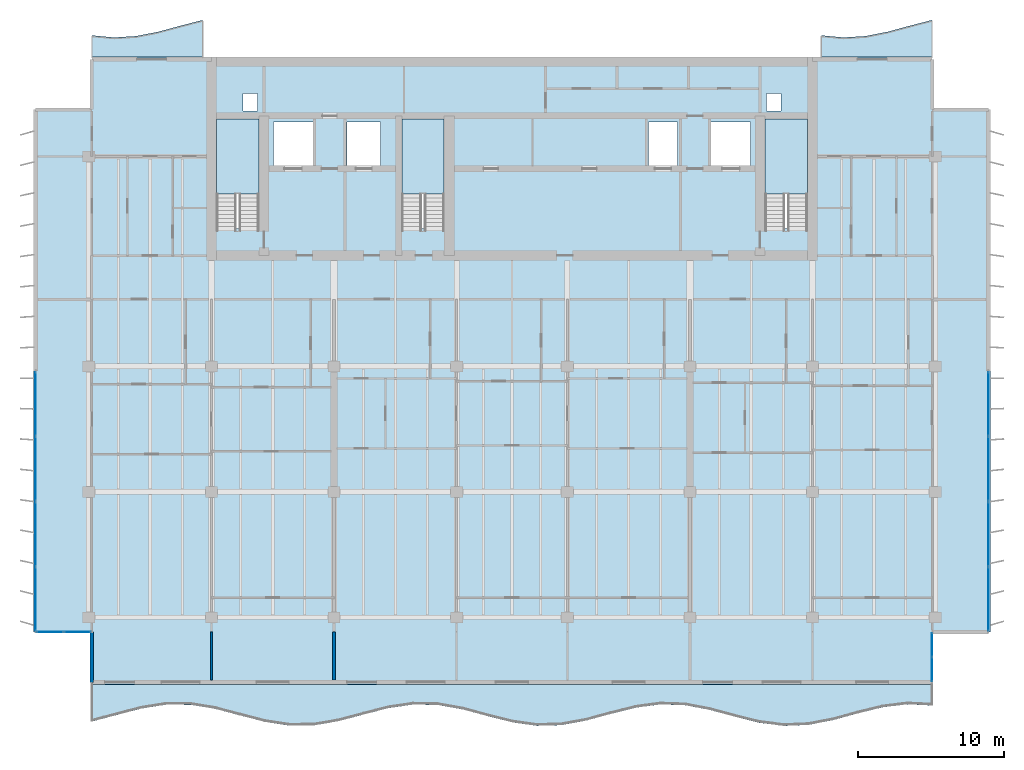
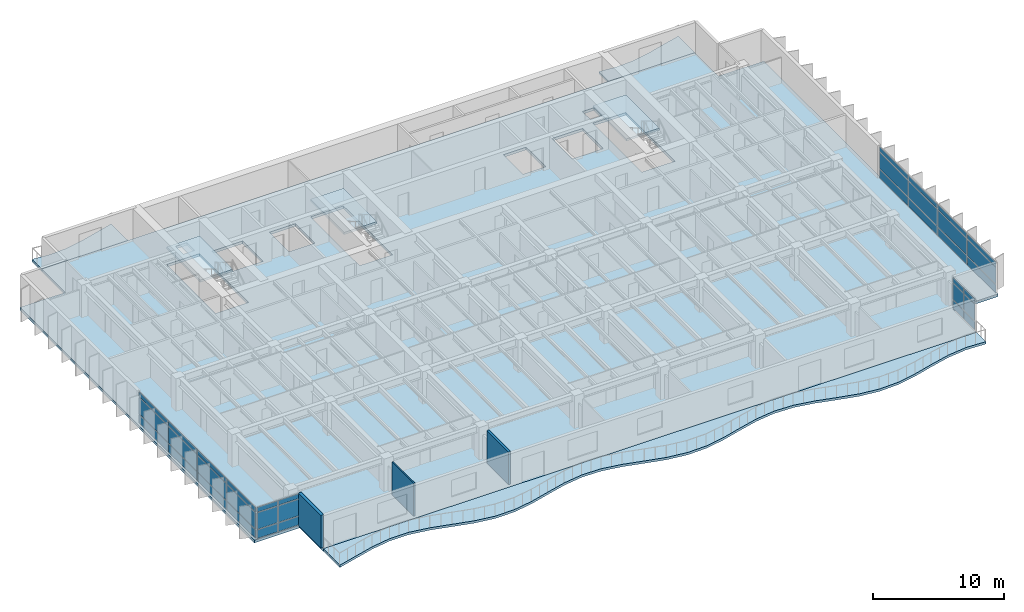
# One storey, part 7 of 17: 36 plates, 7 slabs, 3 walls, 7 elements without a shape of their own.
"""IFC4 building model written with IfcOpenShell, lengths in metres."""

from ifc_helpers import new_model, si_unit, direction, frame, frame_2d, origin, origin_2d, place, context, subcontext, project, spatial, polyline, rectangle, outline, extrude, material, layer, layer_set, type_object, element, aggregate, save


model = new_model("IFC4")

# Units and contexts
model_context = context("Model", 3, precision=1e-05, world=origin(), true_north=direction((0.0, 1.0)))
body_context = subcontext(model_context, "Body", "Model", "MODEL_VIEW")
ifc_project = project(units=[si_unit("LENGTHUNIT", "METRE"), si_unit("AREAUNIT", "SQUARE_METRE"), si_unit("VOLUMEUNIT", "CUBIC_METRE"), si_unit("PLANEANGLEUNIT", "RADIAN"), si_unit("MASSUNIT", "GRAM", prefix="KILO")], contexts=[model_context])

# Site, building, storey
site_placement = place(None, origin())
site = spatial("IfcSite", under=ifc_project, at=site_placement, CompositionType="ELEMENT")
building_placement = place(site_placement, origin())
building = spatial("IfcBuilding", under=site, at=building_placement, Name="Caelmar Bay Residences", CompositionType="ELEMENT")
storey_placement = place(building_placement, frame((0.0, 0.0, 204.89990234375)))
storey = spatial("IfcBuildingStorey", under=building, at=storey_placement, Name="L57", CompositionType="ELEMENT", Elevation=204.89990234375)

# Curtain wall, plates
ifc_material_1 = material(Name="Anodised bronze aluminium 6063-T6 and laminated glass", Category="aluminium")
ifc_layer_1 = layer(ifc_material_1, 0.179931640625)
ifc_layer_set_1 = layer_set([ifc_layer_1], Name="Anodised bronze aluminium 6063-T6 and laminated glass")
curtain_wall_type_1 = type_object("IfcCurtainWallType", Name="CW6-NTC", PredefinedType="NOTDEFINED", material=ifc_layer_set_1)
curtain_wall_1_placement = place(storey_placement, origin())
curtain_wall_1 = element("IfcCurtainWall", 1, at=curtain_wall_1_placement, inside=storey, type_object=curtain_wall_type_1, Name="CW6 curtain wall L57", PredefinedType="NOTDEFINED")
ifc_material_2 = material(Name="Bronze-tinted laminated low-E hurricane glass 28 mm", Category="glass")
ifc_layer_2 = layer(ifc_material_2, 0.028076171875)
ifc_layer_set_2 = layer_set([ifc_layer_2], Name="Bronze-tinted laminated low-E hurricane glass 28 mm")
plate_type = type_object("IfcPlateType", Name="CWP-GLZ28", PredefinedType="CURTAIN_PANEL", material=ifc_layer_set_2)
plate_1_placement = place(storey_placement, frame((7.232421875, 11.199951171875, 0.080078125), z_axis=(0.0, 0.0, 1.0), x_axis=(1.0, 0.0, 0.0)))
plate_1 = element("IfcPlate", 2, at=plate_1_placement, type_object=plate_type, Name="CW6 panel 1.1", PredefinedType="CURTAIN_PANEL", context=body_context, shape_type="SweptSolid", body=[
    extrude(rectangle(XDim=1.804931640625, YDim=0.028076171875, at=origin_2d()), origin(), (0.0, 0.0, 1.0), 0.780029296875),
])
plate_2_placement = place(storey_placement, frame((7.232421875, 11.199951171875, 0.940185546875), z_axis=(0.0, 0.0, 1.0), x_axis=(1.0, 0.0, 0.0)))
plate_2 = element("IfcPlate", 3, at=plate_2_placement, type_object=plate_type, Name="CW6 panel 1.2", PredefinedType="CURTAIN_PANEL", context=body_context, shape_type="SweptSolid", body=[
    extrude(rectangle(XDim=1.804931640625, YDim=0.028076171875, at=origin_2d()), origin(), (0.0, 0.0, 1.0), 1.52001953125),
])
plate_3_placement = place(storey_placement, frame((7.232421875, 11.199951171875, 2.5400390625), z_axis=(0.0, 0.0, 1.0), x_axis=(1.0, 0.0, 0.0)))
plate_3 = element("IfcPlate", 4, at=plate_3_placement, type_object=plate_type, Name="CW6 panel 1.3", PredefinedType="CURTAIN_PANEL", context=body_context, shape_type="SweptSolid", body=[
    extrude(rectangle(XDim=1.804931640625, YDim=0.028076171875, at=origin_2d()), origin(), (0.0, 0.0, 1.0), 0.429931640625),
])
plate_4_placement = place(storey_placement, frame((9.117431640625, 11.199951171875, 0.080078125), z_axis=(0.0, 0.0, 1.0), x_axis=(1.0, 0.0, 0.0)))
plate_4 = element("IfcPlate", 5, at=plate_4_placement, type_object=plate_type, Name="CW6 panel 2.1", PredefinedType="CURTAIN_PANEL", context=body_context, shape_type="SweptSolid", body=[
    extrude(rectangle(XDim=1.804931640625, YDim=0.028076171875, at=origin_2d()), origin(), (0.0, 0.0, 1.0), 0.780029296875),
])
plate_5_placement = place(storey_placement, frame((9.117431640625, 11.199951171875, 0.940185546875), z_axis=(0.0, 0.0, 1.0), x_axis=(1.0, 0.0, 0.0)))
plate_5 = element("IfcPlate", 6, at=plate_5_placement, type_object=plate_type, Name="CW6 panel 2.2", PredefinedType="CURTAIN_PANEL", context=body_context, shape_type="SweptSolid", body=[
    extrude(rectangle(XDim=1.804931640625, YDim=0.028076171875, at=origin_2d()), origin(), (0.0, 0.0, 1.0), 1.52001953125),
])
plate_6_placement = place(storey_placement, frame((9.117431640625, 11.199951171875, 2.5400390625), z_axis=(0.0, 0.0, 1.0), x_axis=(1.0, 0.0, 0.0)))
plate_6 = element("IfcPlate", 7, at=plate_6_placement, type_object=plate_type, Name="CW6 panel 2.3", PredefinedType="CURTAIN_PANEL", context=body_context, shape_type="SweptSolid", body=[
    extrude(rectangle(XDim=1.804931640625, YDim=0.028076171875, at=origin_2d()), origin(), (0.0, 0.0, 1.0), 0.429931640625),
])
aggregate(curtain_wall_1, [plate_1, plate_2, plate_3, plate_4, plate_5, plate_6])

curtain_wall_2_placement = place(storey_placement, origin())
curtain_wall_2 = element("IfcCurtainWall", 8, at=curtain_wall_2_placement, inside=storey, type_object=curtain_wall_type_1, Name="CW6 curtain wall L57", PredefinedType="NOTDEFINED")
plate_7_placement = place(storey_placement, frame((67.699951171875, 8.632568359375, 0.080078125), z_axis=(0.0, 0.0, 1.0), x_axis=(0.0, 1.0, 0.0)))
plate_7 = element("IfcPlate", 9, at=plate_7_placement, type_object=plate_type, Name="CW6 panel 1.1", PredefinedType="CURTAIN_PANEL", context=body_context, shape_type="SweptSolid", body=[
    extrude(rectangle(XDim=1.60498046875, YDim=0.028076171875, at=origin_2d()), origin(), (0.0, 0.0, 1.0), 0.780029296875),
])
plate_8_placement = place(storey_placement, frame((67.699951171875, 8.632568359375, 0.940185546875), z_axis=(0.0, 0.0, 1.0), x_axis=(0.0, 1.0, 0.0)))
plate_8 = element("IfcPlate", 10, at=plate_8_placement, type_object=plate_type, Name="CW6 panel 1.2", PredefinedType="CURTAIN_PANEL", context=body_context, shape_type="SweptSolid", body=[
    extrude(rectangle(XDim=1.60498046875, YDim=0.028076171875, at=origin_2d()), origin(), (0.0, 0.0, 1.0), 1.52001953125),
])
plate_9_placement = place(storey_placement, frame((67.699951171875, 8.632568359375, 2.5400390625), z_axis=(0.0, 0.0, 1.0), x_axis=(0.0, 1.0, 0.0)))
plate_9 = element("IfcPlate", 11, at=plate_9_placement, type_object=plate_type, Name="CW6 panel 1.3", PredefinedType="CURTAIN_PANEL", context=body_context, shape_type="SweptSolid", body=[
    extrude(rectangle(XDim=1.60498046875, YDim=0.028076171875, at=origin_2d()), origin(), (0.0, 0.0, 1.0), 0.429931640625),
])
plate_10_placement = place(storey_placement, frame((67.699951171875, 10.3173828125, 0.080078125), z_axis=(0.0, 0.0, 1.0), x_axis=(0.0, 1.0, 0.0)))
plate_10 = element("IfcPlate", 12, at=plate_10_placement, type_object=plate_type, Name="CW6 panel 2.1", PredefinedType="CURTAIN_PANEL", context=body_context, shape_type="SweptSolid", body=[
    extrude(rectangle(XDim=1.60498046875, YDim=0.028076171875, at=origin_2d()), origin(), (0.0, 0.0, 1.0), 0.780029296875),
])
plate_11_placement = place(storey_placement, frame((67.699951171875, 10.3173828125, 0.940185546875), z_axis=(0.0, 0.0, 1.0), x_axis=(0.0, 1.0, 0.0)))
plate_11 = element("IfcPlate", 13, at=plate_11_placement, type_object=plate_type, Name="CW6 panel 2.2", PredefinedType="CURTAIN_PANEL", context=body_context, shape_type="SweptSolid", body=[
    extrude(rectangle(XDim=1.60498046875, YDim=0.028076171875, at=origin_2d()), origin(), (0.0, 0.0, 1.0), 1.52001953125),
])
plate_12_placement = place(storey_placement, frame((67.699951171875, 10.3173828125, 2.5400390625), z_axis=(0.0, 0.0, 1.0), x_axis=(0.0, 1.0, 0.0)))
plate_12 = element("IfcPlate", 14, at=plate_12_placement, type_object=plate_type, Name="CW6 panel 2.3", PredefinedType="CURTAIN_PANEL", context=body_context, shape_type="SweptSolid", body=[
    extrude(rectangle(XDim=1.60498046875, YDim=0.028076171875, at=origin_2d()), origin(), (0.0, 0.0, 1.0), 0.429931640625),
])
aggregate(curtain_wall_2, [plate_7, plate_8, plate_9, plate_10, plate_11, plate_12])

ifc_layer_3 = layer(ifc_material_1, 0.179931640625)
ifc_layer_set_3 = layer_set([ifc_layer_3], Name="Anodised bronze aluminium 6063-T6 and laminated glass")
curtain_wall_type_2 = type_object("IfcCurtainWallType", Name="CW4-Z3", PredefinedType="NOTDEFINED", material=ifc_layer_set_3)
curtain_wall_3_placement = place(storey_placement, origin())
curtain_wall_3 = element("IfcCurtainWall", 15, at=curtain_wall_3_placement, inside=storey, type_object=curtain_wall_type_2, Name="CW4 curtain wall L57", PredefinedType="NOTDEFINED")
plate_13_placement = place(storey_placement, frame((6.25, 13.45751953125, 0.080078125), z_axis=(0.0, 0.0, 1.0), x_axis=(0.0, 1.0, 0.0)))
plate_13 = element("IfcPlate", 16, at=plate_13_placement, type_object=plate_type, Name="CW4 panel 1.1", PredefinedType="CURTAIN_PANEL", context=body_context, shape_type="SweptSolid", body=[
    extrude(rectangle(XDim=4.35498046875, YDim=0.028076171875, at=origin_2d()), origin(), (0.0, 0.0, 1.0), 0.780029296875),
])
plate_14_placement = place(storey_placement, frame((6.25, 13.45751953125, 0.940185546875), z_axis=(0.0, 0.0, 1.0), x_axis=(0.0, 1.0, 0.0)))
plate_14 = element("IfcPlate", 17, at=plate_14_placement, type_object=plate_type, Name="CW4 panel 1.2", PredefinedType="CURTAIN_PANEL", context=body_context, shape_type="SweptSolid", body=[
    extrude(rectangle(XDim=4.35498046875, YDim=0.028076171875, at=origin_2d()), origin(), (0.0, 0.0, 1.0), 1.52001953125),
])
plate_15_placement = place(storey_placement, frame((6.25, 13.45751953125, 2.5400390625), z_axis=(0.0, 0.0, 1.0), x_axis=(0.0, 1.0, 0.0)))
plate_15 = element("IfcPlate", 18, at=plate_15_placement, type_object=plate_type, Name="CW4 panel 1.3", PredefinedType="CURTAIN_PANEL", context=body_context, shape_type="SweptSolid", body=[
    extrude(rectangle(XDim=4.35498046875, YDim=0.028076171875, at=origin_2d()), origin(), (0.0, 0.0, 1.0), 0.429931640625),
])
plate_16_placement = place(storey_placement, frame((6.25, 17.91259765625, 0.080078125), z_axis=(0.0, 0.0, 1.0), x_axis=(0.0, 1.0, 0.0)))
plate_16 = element("IfcPlate", 19, at=plate_16_placement, type_object=plate_type, Name="CW4 panel 2.1", PredefinedType="CURTAIN_PANEL", context=body_context, shape_type="SweptSolid", body=[
    extrude(rectangle(XDim=4.39501953125, YDim=0.028076171875, at=origin_2d()), origin(), (0.0, 0.0, 1.0), 0.780029296875),
])
plate_17_placement = place(storey_placement, frame((6.25, 17.91259765625, 0.940185546875), z_axis=(0.0, 0.0, 1.0), x_axis=(0.0, 1.0, 0.0)))
plate_17 = element("IfcPlate", 20, at=plate_17_placement, type_object=plate_type, Name="CW4 panel 2.2", PredefinedType="CURTAIN_PANEL", context=body_context, shape_type="SweptSolid", body=[
    extrude(rectangle(XDim=4.39501953125, YDim=0.028076171875, at=origin_2d()), origin(), (0.0, 0.0, 1.0), 1.52001953125),
])
plate_18_placement = place(storey_placement, frame((6.25, 17.91259765625, 2.5400390625), z_axis=(0.0, 0.0, 1.0), x_axis=(0.0, 1.0, 0.0)))
plate_18 = element("IfcPlate", 21, at=plate_18_placement, type_object=plate_type, Name="CW4 panel 2.3", PredefinedType="CURTAIN_PANEL", context=body_context, shape_type="SweptSolid", body=[
    extrude(rectangle(XDim=4.39501953125, YDim=0.028076171875, at=origin_2d()), origin(), (0.0, 0.0, 1.0), 0.429931640625),
])
plate_19_placement = place(storey_placement, frame((6.25, 22.387451171875, 0.080078125), z_axis=(0.0, 0.0, 1.0), x_axis=(0.0, 1.0, 0.0)))
plate_19 = element("IfcPlate", 22, at=plate_19_placement, type_object=plate_type, Name="CW4 panel 3.1", PredefinedType="CURTAIN_PANEL", context=body_context, shape_type="SweptSolid", body=[
    extrude(rectangle(XDim=4.39501953125, YDim=0.028076171875, at=origin_2d()), origin(), (0.0, 0.0, 1.0), 0.780029296875),
])
plate_20_placement = place(storey_placement, frame((6.25, 22.387451171875, 0.940185546875), z_axis=(0.0, 0.0, 1.0), x_axis=(0.0, 1.0, 0.0)))
plate_20 = element("IfcPlate", 23, at=plate_20_placement, type_object=plate_type, Name="CW4 panel 3.2", PredefinedType="CURTAIN_PANEL", context=body_context, shape_type="SweptSolid", body=[
    extrude(rectangle(XDim=4.39501953125, YDim=0.028076171875, at=origin_2d()), origin(), (0.0, 0.0, 1.0), 1.52001953125),
])
plate_21_placement = place(storey_placement, frame((6.25, 22.387451171875, 2.5400390625), z_axis=(0.0, 0.0, 1.0), x_axis=(0.0, 1.0, 0.0)))
plate_21 = element("IfcPlate", 24, at=plate_21_placement, type_object=plate_type, Name="CW4 panel 3.3", PredefinedType="CURTAIN_PANEL", context=body_context, shape_type="SweptSolid", body=[
    extrude(rectangle(XDim=4.39501953125, YDim=0.028076171875, at=origin_2d()), origin(), (0.0, 0.0, 1.0), 0.429931640625),
])
plate_22_placement = place(storey_placement, frame((6.25, 26.842529296875, 0.080078125), z_axis=(0.0, 0.0, 1.0), x_axis=(0.0, 1.0, 0.0)))
plate_22 = element("IfcPlate", 25, at=plate_22_placement, type_object=plate_type, Name="CW4 panel 4.1", PredefinedType="CURTAIN_PANEL", context=body_context, shape_type="SweptSolid", body=[
    extrude(rectangle(XDim=4.35498046875, YDim=0.028076171875, at=origin_2d()), origin(), (0.0, 0.0, 1.0), 0.780029296875),
])
plate_23_placement = place(storey_placement, frame((6.25, 26.842529296875, 0.940185546875), z_axis=(0.0, 0.0, 1.0), x_axis=(0.0, 1.0, 0.0)))
plate_23 = element("IfcPlate", 26, at=plate_23_placement, type_object=plate_type, Name="CW4 panel 4.2", PredefinedType="CURTAIN_PANEL", context=body_context, shape_type="SweptSolid", body=[
    extrude(rectangle(XDim=4.35498046875, YDim=0.028076171875, at=origin_2d()), origin(), (0.0, 0.0, 1.0), 1.52001953125),
])
plate_24_placement = place(storey_placement, frame((6.25, 26.842529296875, 2.5400390625), z_axis=(0.0, 0.0, 1.0), x_axis=(0.0, 1.0, 0.0)))
plate_24 = element("IfcPlate", 27, at=plate_24_placement, type_object=plate_type, Name="CW4 panel 4.3", PredefinedType="CURTAIN_PANEL", context=body_context, shape_type="SweptSolid", body=[
    extrude(rectangle(XDim=4.35498046875, YDim=0.028076171875, at=origin_2d()), origin(), (0.0, 0.0, 1.0), 0.429931640625),
])
aggregate(curtain_wall_3, [plate_13, plate_14, plate_15, plate_16, plate_17, plate_18, plate_19, plate_20, plate_21, plate_22, plate_23, plate_24])

curtain_wall_4_placement = place(storey_placement, origin())
curtain_wall_4 = element("IfcCurtainWall", 28, at=curtain_wall_4_placement, inside=storey, type_object=curtain_wall_type_2, Name="CW4 curtain wall L57", PredefinedType="NOTDEFINED")
plate_25_placement = place(storey_placement, frame((71.550048828125, 26.842529296875, 0.080078125), z_axis=(0.0, 0.0, 1.0), x_axis=(0.0, -1.0, 0.0)))
plate_25 = element("IfcPlate", 29, at=plate_25_placement, type_object=plate_type, Name="CW4 panel 1.1", PredefinedType="CURTAIN_PANEL", context=body_context, shape_type="SweptSolid", body=[
    extrude(rectangle(XDim=4.35498046875, YDim=0.028076171875, at=origin_2d()), origin(), (0.0, 0.0, 1.0), 0.780029296875),
])
plate_26_placement = place(storey_placement, frame((71.550048828125, 26.842529296875, 0.940185546875), z_axis=(0.0, 0.0, 1.0), x_axis=(0.0, -1.0, 0.0)))
plate_26 = element("IfcPlate", 30, at=plate_26_placement, type_object=plate_type, Name="CW4 panel 1.2", PredefinedType="CURTAIN_PANEL", context=body_context, shape_type="SweptSolid", body=[
    extrude(rectangle(XDim=4.35498046875, YDim=0.028076171875, at=origin_2d()), origin(), (0.0, 0.0, 1.0), 1.52001953125),
])
plate_27_placement = place(storey_placement, frame((71.550048828125, 26.842529296875, 2.5400390625), z_axis=(0.0, 0.0, 1.0), x_axis=(0.0, -1.0, 0.0)))
plate_27 = element("IfcPlate", 31, at=plate_27_placement, type_object=plate_type, Name="CW4 panel 1.3", PredefinedType="CURTAIN_PANEL", context=body_context, shape_type="SweptSolid", body=[
    extrude(rectangle(XDim=4.35498046875, YDim=0.028076171875, at=origin_2d()), origin(), (0.0, 0.0, 1.0), 0.429931640625),
])
plate_28_placement = place(storey_placement, frame((71.550048828125, 22.387451171875, 0.080078125), z_axis=(0.0, 0.0, 1.0), x_axis=(0.0, -1.0, 0.0)))
plate_28 = element("IfcPlate", 32, at=plate_28_placement, type_object=plate_type, Name="CW4 panel 2.1", PredefinedType="CURTAIN_PANEL", context=body_context, shape_type="SweptSolid", body=[
    extrude(rectangle(XDim=4.39501953125, YDim=0.028076171875, at=origin_2d()), origin(), (0.0, 0.0, 1.0), 0.780029296875),
])
plate_29_placement = place(storey_placement, frame((71.550048828125, 22.387451171875, 0.940185546875), z_axis=(0.0, 0.0, 1.0), x_axis=(0.0, -1.0, 0.0)))
plate_29 = element("IfcPlate", 33, at=plate_29_placement, type_object=plate_type, Name="CW4 panel 2.2", PredefinedType="CURTAIN_PANEL", context=body_context, shape_type="SweptSolid", body=[
    extrude(rectangle(XDim=4.39501953125, YDim=0.028076171875, at=origin_2d()), origin(), (0.0, 0.0, 1.0), 1.52001953125),
])
plate_30_placement = place(storey_placement, frame((71.550048828125, 22.387451171875, 2.5400390625), z_axis=(0.0, 0.0, 1.0), x_axis=(0.0, -1.0, 0.0)))
plate_30 = element("IfcPlate", 34, at=plate_30_placement, type_object=plate_type, Name="CW4 panel 2.3", PredefinedType="CURTAIN_PANEL", context=body_context, shape_type="SweptSolid", body=[
    extrude(rectangle(XDim=4.39501953125, YDim=0.028076171875, at=origin_2d()), origin(), (0.0, 0.0, 1.0), 0.429931640625),
])
plate_31_placement = place(storey_placement, frame((71.550048828125, 17.91259765625, 0.080078125), z_axis=(0.0, 0.0, 1.0), x_axis=(0.0, -1.0, 0.0)))
plate_31 = element("IfcPlate", 35, at=plate_31_placement, type_object=plate_type, Name="CW4 panel 3.1", PredefinedType="CURTAIN_PANEL", context=body_context, shape_type="SweptSolid", body=[
    extrude(rectangle(XDim=4.39501953125, YDim=0.028076171875, at=origin_2d()), origin(), (0.0, 0.0, 1.0), 0.780029296875),
])
plate_32_placement = place(storey_placement, frame((71.550048828125, 17.91259765625, 0.940185546875), z_axis=(0.0, 0.0, 1.0), x_axis=(0.0, -1.0, 0.0)))
plate_32 = element("IfcPlate", 36, at=plate_32_placement, type_object=plate_type, Name="CW4 panel 3.2", PredefinedType="CURTAIN_PANEL", context=body_context, shape_type="SweptSolid", body=[
    extrude(rectangle(XDim=4.39501953125, YDim=0.028076171875, at=origin_2d()), origin(), (0.0, 0.0, 1.0), 1.52001953125),
])
plate_33_placement = place(storey_placement, frame((71.550048828125, 17.91259765625, 2.5400390625), z_axis=(0.0, 0.0, 1.0), x_axis=(0.0, -1.0, 0.0)))
plate_33 = element("IfcPlate", 37, at=plate_33_placement, type_object=plate_type, Name="CW4 panel 3.3", PredefinedType="CURTAIN_PANEL", context=body_context, shape_type="SweptSolid", body=[
    extrude(rectangle(XDim=4.39501953125, YDim=0.028076171875, at=origin_2d()), origin(), (0.0, 0.0, 1.0), 0.429931640625),
])
plate_34_placement = place(storey_placement, frame((71.550048828125, 13.45751953125, 0.080078125), z_axis=(0.0, 0.0, 1.0), x_axis=(0.0, -1.0, 0.0)))
plate_34 = element("IfcPlate", 38, at=plate_34_placement, type_object=plate_type, Name="CW4 panel 4.1", PredefinedType="CURTAIN_PANEL", context=body_context, shape_type="SweptSolid", body=[
    extrude(rectangle(XDim=4.35498046875, YDim=0.028076171875, at=origin_2d()), origin(), (0.0, 0.0, 1.0), 0.780029296875),
])
plate_35_placement = place(storey_placement, frame((71.550048828125, 13.45751953125, 0.940185546875), z_axis=(0.0, 0.0, 1.0), x_axis=(0.0, -1.0, 0.0)))
plate_35 = element("IfcPlate", 39, at=plate_35_placement, type_object=plate_type, Name="CW4 panel 4.2", PredefinedType="CURTAIN_PANEL", context=body_context, shape_type="SweptSolid", body=[
    extrude(rectangle(XDim=4.35498046875, YDim=0.028076171875, at=origin_2d()), origin(), (0.0, 0.0, 1.0), 1.52001953125),
])
plate_36_placement = place(storey_placement, frame((71.550048828125, 13.45751953125, 2.5400390625), z_axis=(0.0, 0.0, 1.0), x_axis=(0.0, -1.0, 0.0)))
plate_36 = element("IfcPlate", 40, at=plate_36_placement, type_object=plate_type, Name="CW4 panel 4.3", PredefinedType="CURTAIN_PANEL", context=body_context, shape_type="SweptSolid", body=[
    extrude(rectangle(XDim=4.35498046875, YDim=0.028076171875, at=origin_2d()), origin(), (0.0, 0.0, 1.0), 0.429931640625),
])
aggregate(curtain_wall_4, [plate_25, plate_26, plate_27, plate_28, plate_29, plate_30, plate_31, plate_32, plate_33, plate_34, plate_35, plate_36])

# Slabs
ifc_material_3 = material(Name="Concrete f'c 40 MPa (6,000 psi)", Category="concrete")
ifc_layer_4 = layer(ifc_material_3, 0.219970703125)
ifc_layer_set_4 = layer_set([ifc_layer_4], Name="Concrete f'c 40 MPa (6,000 psi)")
slab_type_1 = type_object("IfcSlabType", Name="SLB-BAL-220", PredefinedType="FLOOR", material=ifc_layer_set_4)
slab_1_placement = place(storey_placement, frame((0.0, 0.0, -0.219970703125)))
element("IfcSlab", 41, at=slab_1_placement, inside=storey, type_object=slab_type_1, Name="L57 Sinusoidal Tree-Balcony Slab south", PredefinedType="FLOOR", context=body_context, shape_type="SweptSolid", body=[
    extrude(outline(polyline([(10.10009765625, 5.05908203125), (11.794189453125, 5.50390625), (13.48828125, 5.947265625), (15.182373046875, 6.216796875), (16.87646484375, 6.208251953125), (18.570556640625, 5.9248046875), (20.2646484375, 5.476318359375), (21.958740234375, 5.037109375), (23.65283203125, 4.777587890625), (25.34716796875, 4.798583984375), (27.041259765625, 5.091796875), (28.7353515625, 5.54345703125), (30.429443359375, 5.978515625), (32.12353515625, 6.2275390625), (33.817626953125, 6.194091796875), (35.51171875, 5.891357421875), (37.205810546875, 5.436767578125), (38.89990234375, 5.006591796875), (40.593994140625, 4.767822265625), (42.2880859375, 4.8134765625), (43.982421875, 5.12548828125), (45.676513671875, 5.5830078125), (47.37060546875, 6.00830078125), (49.064697265625, 6.236083984375), (50.7587890625, 6.17822265625), (52.452880859375, 5.857177734375), (54.147216796875, 5.3974609375), (55.84130859375, 4.977294921875), (57.535400390625, 4.76025390625), (59.2294921875, 4.830322265625), (60.923583984375, 5.160400390625), (62.61767578125, 5.622314453125), (64.311767578125, 6.03662109375), (66.005859375, 6.24267578125), (67.699951171875, 6.160400390625), (67.699951171875, 7.60009765625), (10.10009765625, 7.60009765625), (10.10009765625, 5.05908203125)])), origin(), (0.0, 0.0, 1.0), 0.219970703125),
])
slab_2_placement = place(storey_placement, frame((0.0, 0.0, -0.219970703125)))
element("IfcSlab", 42, at=slab_2_placement, inside=storey, type_object=slab_type_1, Name="L57 Sinusoidal Tree-Balcony Slab north_west", PredefinedType="FLOOR", context=body_context, shape_type="SweptSolid", body=[
    extrude(outline(polyline([(10.10009765625, 50.60009765625), (17.699951171875, 50.60009765625), (17.699951171875, 53.14990234375), (16.179931640625, 52.756103515625), (14.659912109375, 52.344482421875), (13.139892578125, 52.044921875), (11.6201171875, 51.951416015625), (10.10009765625, 52.09326171875), (10.10009765625, 50.60009765625)])), origin(), (0.0, 0.0, 1.0), 0.219970703125),
])
slab_3_placement = place(storey_placement, frame((0.0, 0.0, -0.219970703125)))
element("IfcSlab", 43, at=slab_3_placement, inside=storey, type_object=slab_type_1, Name="L57 Sinusoidal Tree-Balcony Slab north_east", PredefinedType="FLOOR", context=body_context, shape_type="SweptSolid", body=[
    extrude(outline(polyline([(60.10009765625, 50.60009765625), (67.699951171875, 50.60009765625), (67.699951171875, 53.14990234375), (66.179931640625, 52.756103515625), (64.659912109375, 52.344482421875), (63.139892578125, 52.044921875), (61.6201171875, 51.951416015625), (60.10009765625, 52.09326171875), (60.10009765625, 50.60009765625)])), origin(), (0.0, 0.0, 1.0), 0.219970703125),
])

# Stair, slab
stair_type = type_object("IfcStairType", Name="ST-TYP-165", PredefinedType="HALF_TURN_STAIR", material=ifc_material_3)
stair_1_placement = place(storey_placement, origin())
stair_1 = element("IfcStair", 44, at=stair_1_placement, inside=storey, type_object=stair_type, Name="L57 West Smokeproof Exit Stair ST1", PredefinedType="HALF_TURN_STAIR")
ifc_layer_5 = layer(ifc_material_3, 0.199951171875)
ifc_layer_set_5 = layer_set([ifc_layer_5], Name="Concrete f'c 40 MPa (6,000 psi)")
slab_type_2 = type_object("IfcSlabType", Name="SLB-LND-200", PredefinedType="LANDING", material=ifc_layer_set_5)
slab_4_placement = place(storey_placement, frame((0.0, 0.0, 1.4501953125)))
slab_4 = element("IfcSlab", 45, at=slab_4_placement, type_object=slab_type_2, Name="ST1 landing 1", PredefinedType="LANDING", context=body_context, shape_type="SweptSolid", body=[
    extrude(outline(polyline([(21.550048828125, 41.219970703125), (21.550048828125, 46.35009765625), (18.64990234375, 46.35009765625), (18.64990234375, 41.219970703125), (21.550048828125, 41.219970703125)])), origin(), (0.0, 0.0, 1.0), 0.199951171875),
])
aggregate(stair_1, [slab_4])

stair_2_placement = place(storey_placement, origin())
stair_2 = element("IfcStair", 46, at=stair_2_placement, inside=storey, type_object=stair_type, Name="L57 East Smokeproof Exit Stair ST2", PredefinedType="HALF_TURN_STAIR")
slab_5_placement = place(storey_placement, frame((0.0, 0.0, 1.4501953125)))
slab_5 = element("IfcSlab", 47, at=slab_5_placement, type_object=slab_type_2, Name="ST2 landing 1", PredefinedType="LANDING", context=body_context, shape_type="SweptSolid", body=[
    extrude(outline(polyline([(59.14990234375, 41.219970703125), (59.14990234375, 46.35009765625), (56.25, 46.35009765625), (56.25, 41.219970703125), (59.14990234375, 41.219970703125)])), origin(), (0.0, 0.0, 1.0), 0.199951171875),
])
aggregate(stair_2, [slab_5])

stair_3_placement = place(storey_placement, origin())
stair_3 = element("IfcStair", 48, at=stair_3_placement, inside=storey, type_object=stair_type, Name="L57 Central Smokeproof Exit Stair ST3", PredefinedType="HALF_TURN_STAIR")
slab_6_placement = place(storey_placement, frame((0.0, 0.0, 1.4501953125)))
slab_6 = element("IfcSlab", 49, at=slab_6_placement, type_object=slab_type_2, Name="ST3 landing 1", PredefinedType="LANDING", context=body_context, shape_type="SweptSolid", body=[
    extrude(outline(polyline([(34.25, 41.219970703125), (34.25, 46.35009765625), (31.35009765625, 46.35009765625), (31.35009765625, 41.219970703125), (34.25, 41.219970703125)])), origin(), (0.0, 0.0, 1.0), 0.199951171875),
])
aggregate(stair_3, [slab_6])

# Slab
ifc_layer_6 = layer(ifc_material_3, 0.25)
ifc_layer_set_6 = layer_set([ifc_layer_6], Name="Concrete f'c 40 MPa (6,000 psi)")
slab_type_3 = type_object("IfcSlabType", Name="SLB-RES-250", PredefinedType="FLOOR", material=ifc_layer_set_6)
slab_7_placement = place(storey_placement, frame((0.0, 0.0, -0.25)))
element("IfcSlab", 50, at=slab_7_placement, inside=storey, type_object=slab_type_3, Name="L57 Structural Floor Slab", PredefinedType="FLOOR", context=body_context, shape_type="SweptSolid", body=[
    extrude(outline(polyline([(10.10009765625, 7.60009765625), (67.699951171875, 7.60009765625), (67.699951171875, 11.199951171875), (71.699951171875, 11.199951171875), (71.699951171875, 47.0), (67.699951171875, 47.0), (67.699951171875, 50.60009765625), (10.10009765625, 50.60009765625), (10.10009765625, 47.0), (6.10009765625, 47.0), (6.10009765625, 11.199951171875), (10.10009765625, 11.199951171875), (10.10009765625, 7.60009765625)]), holes=[polyline([(18.64990234375, 38.85009765625), (21.550048828125, 38.85009765625), (21.550048828125, 46.35009765625), (18.64990234375, 46.35009765625), (18.64990234375, 38.85009765625)]), polyline([(56.25, 38.85009765625), (59.14990234375, 38.85009765625), (59.14990234375, 46.35009765625), (56.25, 46.35009765625), (56.25, 38.85009765625)]), polyline([(31.35009765625, 38.85009765625), (34.25, 38.85009765625), (34.25, 46.35009765625), (31.35009765625, 46.35009765625), (31.35009765625, 38.85009765625)]), polyline([(22.550048828125, 43.050048828125), (25.25, 43.050048828125), (25.25, 46.14990234375), (22.550048828125, 46.14990234375), (22.550048828125, 43.050048828125)]), polyline([(52.550048828125, 43.050048828125), (55.25, 43.050048828125), (55.25, 46.14990234375), (52.550048828125, 46.14990234375), (52.550048828125, 43.050048828125)]), polyline([(48.25, 43.14990234375), (50.25, 43.14990234375), (50.25, 46.14990234375), (48.25, 46.14990234375), (48.25, 43.14990234375)]), polyline([(27.60009765625, 43.14990234375), (29.89990234375, 43.14990234375), (29.89990234375, 46.14990234375), (27.60009765625, 46.14990234375), (27.60009765625, 43.14990234375)]), polyline([(20.449951171875, 46.89990234375), (21.449951171875, 46.89990234375), (21.449951171875, 48.10009765625), (20.449951171875, 48.10009765625), (20.449951171875, 46.89990234375)]), polyline([(56.35009765625, 46.89990234375), (57.35009765625, 46.89990234375), (57.35009765625, 48.10009765625), (56.35009765625, 48.10009765625), (56.35009765625, 46.89990234375)])]), origin(), (0.0, 0.0, 1.0), 0.25),
])

# Walls
ifc_material_4 = material(Name="Precast concrete f'c 40 MPa (6,000 psi)", Category="concrete")
ifc_layer_7 = layer(ifc_material_4, 0.25)
ifc_layer_set_7 = layer_set([ifc_layer_7], Name="Precast concrete f'c 40 MPa (6,000 psi)")
wall_type_1 = type_object("IfcWallType", Name="W-EXT-250", PredefinedType="ELEMENTEDWALL", material=ifc_layer_set_7)
wall_1_placement = place(storey_placement, frame((10.10009765625, 11.199951171875, 0.0), z_axis=(0.0, 0.0, 1.0), x_axis=(0.0, -1.0, 0.0)))
element("IfcWall", 51, at=wall_1_placement, inside=storey, type_object=wall_type_1, Name="L57 SW Notch Return Wall", PredefinedType="ELEMENTEDWALL", context=body_context, shape_type="SweptSolid", body=[
    extrude(rectangle(XDim=3.449951171875, YDim=0.25, at=frame_2d((1.72509765625, 0.0))), origin(), (0.0, 0.0, 1.0), 3.050048828125),
])
ifc_material_5 = material(Name="Acoustic metal-stud gypsum partition 120 mm")
ifc_layer_8 = layer(ifc_material_5, 0.1201171875)
ifc_layer_set_8 = layer_set([ifc_layer_8], Name="Acoustic metal-stud gypsum partition 120 mm")
wall_type_2 = type_object("IfcWallType", Name="W-PRT-120", PredefinedType="PARTITIONING", material=ifc_layer_set_8)
wall_2_placement = place(storey_placement, frame((18.300048828125, 7.89501953125, 0.0), z_axis=(0.0, 0.0, 1.0), x_axis=(0.0, 1.0, 0.0)))
element("IfcWall", 52, at=wall_2_placement, inside=storey, type_object=wall_type_2, Name="L57 Partition Wall V008", PredefinedType="PARTITIONING", context=body_context, shape_type="SweptSolid", body=[
    extrude(rectangle(XDim=3.304931640625, YDim=0.1201171875, at=frame_2d((1.65234375, 0.0))), origin(), (0.0, 0.0, 1.0), 3.050048828125),
])
ifc_material_6 = material(Name="Acoustic twin-stud fire-rated inter-tenancy partition 200 mm")
ifc_layer_9 = layer(ifc_material_6, 0.199951171875)
ifc_layer_set_9 = layer_set([ifc_layer_9], Name="Acoustic twin-stud fire-rated inter-tenancy partition 200 mm")
wall_type_3 = type_object("IfcWallType", Name="W-PTY-200", PredefinedType="PARTITIONING", material=ifc_layer_set_9)
wall_3_placement = place(storey_placement, frame((26.699951171875, 7.89501953125, 0.0), z_axis=(0.0, 0.0, 1.0), x_axis=(0.0, 1.0, 0.0)))
element("IfcWall", 53, at=wall_3_placement, inside=storey, type_object=wall_type_3, Name="L57 Partition Wall V013", PredefinedType="PARTITIONING", context=body_context, shape_type="SweptSolid", body=[
    extrude(rectangle(XDim=3.304931640625, YDim=0.199951171875, at=frame_2d((1.65234375, 0.0))), origin(), (0.0, 0.0, 1.0), 3.050048828125),
])

save(model, "model.ifc")
